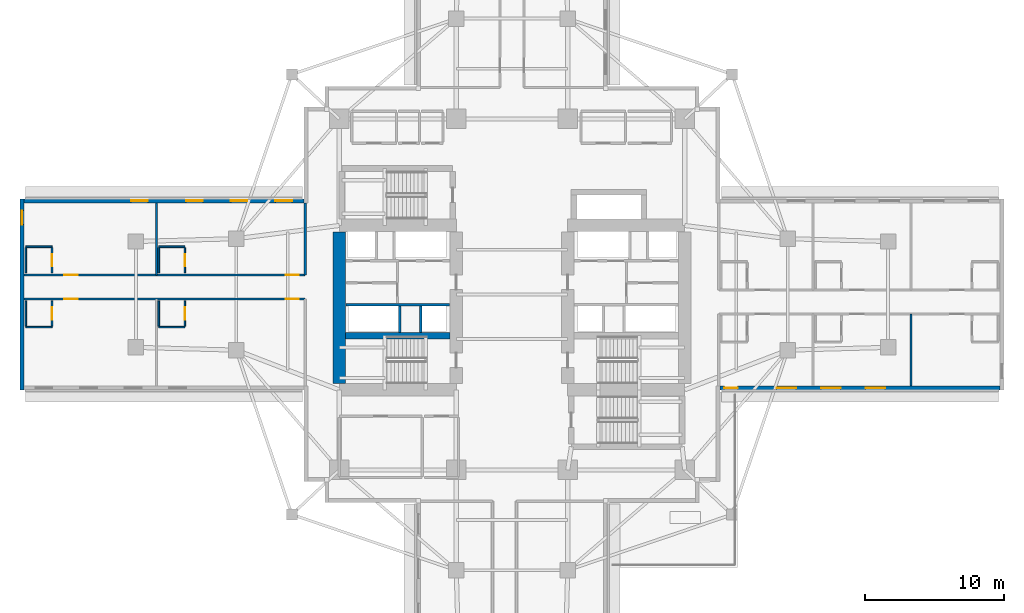
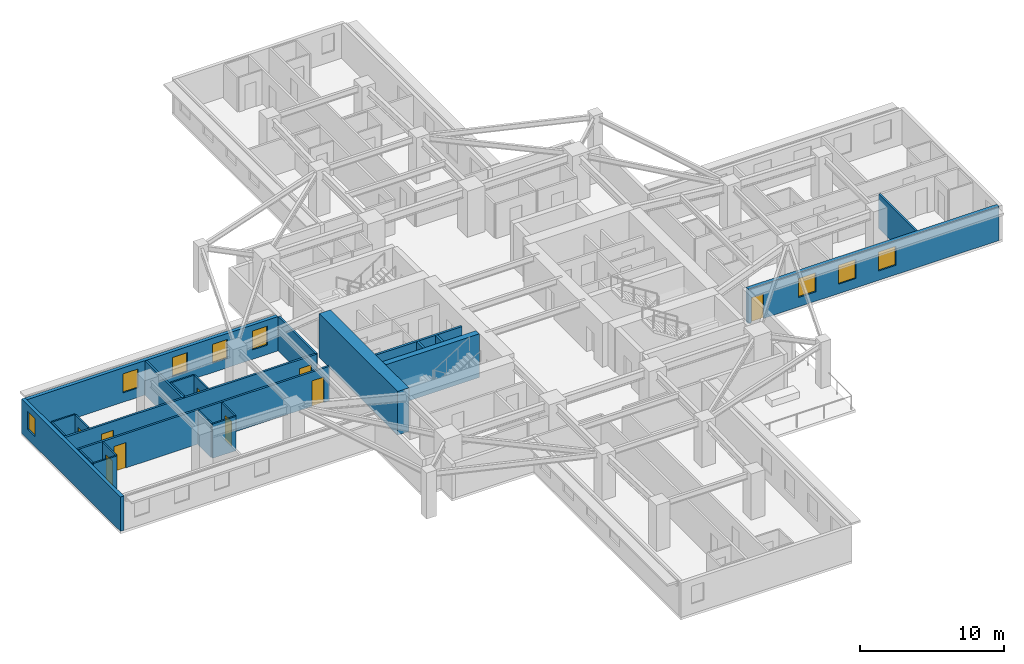
# One storey, part 4 of 13: 25 walls, 9 doors, 8 windows, 17 openings.
"""IFC4 building model written with IfcOpenShell, lengths in metres."""

from ifc_helpers import new_model, si_unit, direction, frame, frame_2d, origin, place, context, subcontext, project, spatial, rectangle, extrude, material, layer, layer_set, type_object, element, fill, save


model = new_model("IFC4")

# Units and contexts
model_context = context("Model", 3, precision=1e-05, world=origin(), true_north=direction((0.0, 1.0)))
body_context = subcontext(model_context, "Body", "Model", "MODEL_VIEW")
ifc_project = project(units=[si_unit("LENGTHUNIT", "METRE"), si_unit("AREAUNIT", "SQUARE_METRE"), si_unit("VOLUMEUNIT", "CUBIC_METRE"), si_unit("PLANEANGLEUNIT", "RADIAN"), si_unit("MASSUNIT", "GRAM", prefix="KILO")], contexts=[model_context])

# Site, building, storey
site_placement = place(None, origin())
site = spatial("IfcSite", under=ifc_project, at=site_placement, CompositionType="ELEMENT")
building_placement = place(site_placement, origin())
building = spatial("IfcBuilding", under=site, at=building_placement, Name="Qingluan Cross Belvedere", CompositionType="ELEMENT")
storey_placement = place(building_placement, frame((0.0, 0.0, 63.89990234375)))
storey = spatial("IfcBuildingStorey", under=building, at=storey_placement, Name="L16", CompositionType="ELEMENT", Elevation=63.89990234375)

# Walls
ifc_material_1 = material(Name="Concrete C50", Category="concrete")
ifc_layer_1 = layer(ifc_material_1, 0.449951171875, Name="CoreShearWall_450")
ifc_layer_set_1 = layer_set([ifc_layer_1], Name="Concrete C50")
wall_type_1 = type_object("IfcWallType", Name="CoreShearWall_450", PredefinedType="SHEAR", material=ifc_layer_set_1)
wall_1_placement = place(storey_placement, frame((-11.945068359375, -2.9599609375, 0.0), z_axis=(0.0, 0.0, 1.0), x_axis=(1.0, 0.0, 0.0)))
element("IfcWall", 1, at=wall_1_placement, inside=storey, type_object=wall_type_1, Name="Split core W shear wall L16-M", PredefinedType="SHEAR", context=body_context, shape_type="SweptSolid", body=[
    extrude(rectangle(XDim=7.489990234375, YDim=0.449951171875, at=frame_2d((3.7451171875, 0.0))), origin(), (0.0, 0.0, 1.0), 3.7001953125),
])
ifc_material_2 = material(Name="Concrete C70", Category="concrete")
ifc_layer_2 = layer(ifc_material_2, 0.89990234375, Name="CoreShearWall_900")
ifc_layer_set_2 = layer_set([ifc_layer_2], Name="Concrete C70")
wall_type_2 = type_object("IfcWallType", Name="CoreShearWall_900", PredefinedType="SHEAR", material=ifc_layer_set_2)
wall_2_placement = place(storey_placement, frame((-12.39990234375, -6.39501953125, 0.0), z_axis=(0.0, 0.0, 1.0), x_axis=(0.0, 1.0, 0.0)))
element("IfcWall", 2, at=wall_2_placement, inside=storey, type_object=wall_type_2, Name="Split core W shear wall L16-W", PredefinedType="SHEAR", context=body_context, shape_type="SweptSolid", body=[
    extrude(rectangle(XDim=10.89013671875, YDim=0.89990234375, at=frame_2d((5.445068359375, 0.0))), origin(), (0.0, 0.0, 1.0), 3.7001953125),
])
ifc_material_3 = material(Name="Gypsum plasterboard on steel stud acoustic partition", Category="steel")
ifc_layer_3 = layer(ifc_material_3, 0.159912109375, Name="CorridorPartition_160")
ifc_layer_set_3 = layer_set([ifc_layer_3], Name="Gypsum plasterboard on steel stud acoustic partition")
wall_type_3 = type_object("IfcWallType", Name="CorridorPartition_160", PredefinedType="PARTITIONING", material=ifc_layer_set_3)
wall_3_placement = place(storey_placement, frame((28.634033203125, -1.39990234375, 0.0), z_axis=(0.0, 0.0, 1.0), x_axis=(0.0, -1.0, 0.0)))
element("IfcWall", 3, at=wall_3_placement, inside=storey, type_object=wall_type_3, Name="Partition L16:E:d1_1", PredefinedType="PARTITIONING", context=body_context, shape_type="SweptSolid", body=[
    extrude(rectangle(XDim=5.172119140625, YDim=0.159912109375, at=frame_2d((2.5859375, 0.0))), origin(), (0.0, 0.0, 1.0), 2.900146484375),
])

# Wall, openings, doors
wall_4_placement = place(storey_placement, frame((-14.85009765625, 1.39990234375, 0.0), z_axis=(0.0, 0.0, 1.0), x_axis=(-1.0, 0.0, 0.0)))
wall_4 = element("IfcWall", 4, at=wall_4_placement, inside=storey, type_object=wall_type_3, Name="Partition L16:W:c0", PredefinedType="PARTITIONING", context=body_context, shape_type="SweptSolid", body=[
    extrude(rectangle(XDim=20.181884765625, YDim=0.159912109375, at=frame_2d((10.0908203125, 0.0))), origin(), (0.0, 0.0, 1.0), 2.900146484375),
])
opening_1_placement = place(wall_4_placement, frame((0.449951171875, 0.0, 0.0)))
opening_1 = element("IfcOpeningElement", 5, at=opening_1_placement, cuts=wall_4, Name="Opening GD-10", PredefinedType="OPENING", context=body_context, shape_type="SweptSolid", body=[
    extrude(rectangle(XDim=0.9599609375, YDim=2.14990234375, at=frame_2d((0.47998046875, 1.074951171875))), frame((0.0, 0.08984375, 0.0), z_axis=(0.0, -1.0, 0.0), x_axis=(1.0, 0.0, 0.0)), (0.0, 0.0, 1.0), 0.179931640625),
])
opening_2_placement = place(wall_4_placement, frame((16.31591796875, 0.0, 0.0)))
opening_2 = element("IfcOpeningElement", 6, at=opening_2_placement, cuts=wall_4, Name="Opening GD-10", PredefinedType="OPENING", context=body_context, shape_type="SweptSolid", body=[
    extrude(rectangle(XDim=0.9599609375, YDim=2.14990234375, at=frame_2d((0.47998046875, 1.074951171875))), frame((0.0, 0.08984375, 0.0), z_axis=(0.0, -1.0, 0.0), x_axis=(1.0, 0.0, 0.0)), (0.0, 0.0, 1.0), 0.179931640625),
])
ifc_material_4 = material(Name="Timber oak fire-rated acoustic guestroom door", Category="wood")
door_type_1 = type_object("IfcDoorType", Name="GuestEntryDoor_FD60", OperationType="NOTDEFINED", PredefinedType="DOOR", material=ifc_material_4)
door_1_placement = place(opening_1_placement, origin())
door_1 = element("IfcDoor", 7, at=door_1_placement, inside=storey, type_object=door_type_1, Name="Guest entry fire door 1607", OperationType="SINGLE_SWING_LEFT", OverallHeight=2.14990234375, OverallWidth=0.9599609375, PredefinedType="DOOR", context=body_context, shape_type="SweptSolid", body=[
    extrude(rectangle(XDim=0.9599609375, YDim=2.14990234375, at=frame_2d((0.47998046875, 1.074951171875))), frame((0.0, 0.02490234375, 0.0), z_axis=(0.0, -1.0, 0.0), x_axis=(1.0, 0.0, 0.0)), (0.0, 0.0, 1.0), 0.050048828125),
])
fill(opening_1, door_1)
door_2_placement = place(opening_2_placement, origin())
door_2 = element("IfcDoor", 8, at=door_2_placement, inside=storey, type_object=door_type_1, Name="Guest entry fire door 1608", OperationType="SINGLE_SWING_LEFT", OverallHeight=2.14990234375, OverallWidth=0.9599609375, PredefinedType="DOOR", context=body_context, shape_type="SweptSolid", body=[
    extrude(rectangle(XDim=0.9599609375, YDim=2.14990234375, at=frame_2d((0.47998046875, 1.074951171875))), frame((0.0, 0.02490234375, 0.0), z_axis=(0.0, -1.0, 0.0), x_axis=(1.0, 0.0, 0.0)), (0.0, 0.0, 1.0), 0.050048828125),
])
fill(opening_2, door_2)

# Walls
for number, where, z_axis, x_axis, name in (
    (9, (-14.85009765625, 1.39990234375, 0.0), (0.0, 0.0, 1.0), (0.0, 1.0, 0.0), "Partition L16:W:s0"),
    (10, (-25.52294921875, 1.39990234375, 0.0), (0.0, 0.0, 1.0), (0.0, 1.0, 0.0), "Partition L16:W:d0_0"),
):
    element("IfcWall", number, at=place(storey_placement, frame(where, z_axis=z_axis, x_axis=x_axis)), inside=storey, type_object=wall_type_3, Name=name, PredefinedType="PARTITIONING", context=body_context, shape_type="SweptSolid", body=[
        extrude(rectangle(XDim=5.172119140625, YDim=0.159912109375, at=frame_2d((2.5859375, 0.0))), origin(), (0.0, 0.0, 1.0), 2.900146484375),
    ])

# Wall, openings, doors
wall_5_placement = place(storey_placement, frame((-14.85009765625, -0.320068359375, 0.0), z_axis=(0.0, 0.0, 1.0), x_axis=(-1.0, 0.0, 0.0)))
wall_5 = element("IfcWall", 11, at=wall_5_placement, inside=storey, type_object=wall_type_3, Name="Partition L16:W:c1", PredefinedType="PARTITIONING", context=body_context, shape_type="SweptSolid", body=[
    extrude(rectangle(XDim=20.181884765625, YDim=0.159912109375, at=frame_2d((10.0908203125, 0.0))), origin(), (0.0, 0.0, 1.0), 2.900146484375),
])
opening_3_placement = place(wall_5_placement, frame((0.449951171875, 0.0, 0.0)))
opening_3 = element("IfcOpeningElement", 12, at=opening_3_placement, cuts=wall_5, Name="Opening GD-10", PredefinedType="OPENING", context=body_context, shape_type="SweptSolid", body=[
    extrude(rectangle(XDim=0.9599609375, YDim=2.14990234375, at=frame_2d((0.47998046875, 1.074951171875))), frame((0.0, 0.08984375, 0.0), z_axis=(0.0, -1.0, 0.0), x_axis=(1.0, 0.0, 0.0)), (0.0, 0.0, 1.0), 0.179931640625),
])
opening_4_placement = place(wall_5_placement, frame((16.31591796875, 0.0, 0.0)))
opening_4 = element("IfcOpeningElement", 13, at=opening_4_placement, cuts=wall_5, Name="Opening GD-10", PredefinedType="OPENING", context=body_context, shape_type="SweptSolid", body=[
    extrude(rectangle(XDim=0.9599609375, YDim=2.14990234375, at=frame_2d((0.47998046875, 1.074951171875))), frame((0.0, 0.08984375, 0.0), z_axis=(0.0, -1.0, 0.0), x_axis=(1.0, 0.0, 0.0)), (0.0, 0.0, 1.0), 0.179931640625),
])
door_3_placement = place(opening_3_placement, origin())
door_3 = element("IfcDoor", 14, at=door_3_placement, inside=storey, type_object=door_type_1, Name="Guest entry fire door 1609", OperationType="SINGLE_SWING_LEFT", OverallHeight=2.14990234375, OverallWidth=0.9599609375, PredefinedType="DOOR", context=body_context, shape_type="SweptSolid", body=[
    extrude(rectangle(XDim=0.9599609375, YDim=2.14990234375, at=frame_2d((0.47998046875, 1.074951171875))), frame((0.0, 0.02490234375, 0.0), z_axis=(0.0, -1.0, 0.0), x_axis=(1.0, 0.0, 0.0)), (0.0, 0.0, 1.0), 0.050048828125),
])
fill(opening_3, door_3)
door_4_placement = place(opening_4_placement, origin())
door_4 = element("IfcDoor", 15, at=door_4_placement, inside=storey, type_object=door_type_1, Name="Guest entry fire door 1610", OperationType="SINGLE_SWING_LEFT", OverallHeight=2.14990234375, OverallWidth=0.9599609375, PredefinedType="DOOR", context=body_context, shape_type="SweptSolid", body=[
    extrude(rectangle(XDim=0.9599609375, YDim=2.14990234375, at=frame_2d((0.47998046875, 1.074951171875))), frame((0.0, 0.02490234375, 0.0), z_axis=(0.0, -1.0, 0.0), x_axis=(1.0, 0.0, 0.0)), (0.0, 0.0, 1.0), 0.050048828125),
])
fill(opening_4, door_4)

# Wall, opening, door
ifc_material_5 = material(Name="Moisture-resistant gypsum board lining")
ifc_layer_4 = layer(ifc_material_5, 0.1201171875, Name="EnsuiteWetPartition_120")
ifc_layer_set_4 = layer_set([ifc_layer_4], Name="Moisture-resistant gypsum board lining")
wall_type_4 = type_object("IfcWallType", Name="EnsuiteWetPartition_120", PredefinedType="PARTITIONING", material=ifc_layer_set_4)
wall_6_placement = place(storey_placement, frame((-23.48291015625, 1.5400390625, 0.0), z_axis=(0.0, 0.0, 1.0), x_axis=(0.0, 1.0, 0.0)))
wall_6 = element("IfcWall", 16, at=wall_6_placement, inside=storey, type_object=wall_type_4, Name="Partition L16:W:bs0_0", PredefinedType="PARTITIONING", context=body_context, shape_type="SweptSolid", body=[
    extrude(rectangle(XDim=1.820068359375, YDim=0.1201171875, at=frame_2d((0.91015625, 0.0))), origin(), (0.0, 0.0, 1.0), 2.900146484375),
])
opening_5_placement = place(wall_6_placement, frame((0.469970703125, 0.0, 0.0)))
opening_5 = element("IfcOpeningElement", 17, at=opening_5_placement, cuts=wall_6, Name="Opening BD-09", PredefinedType="OPENING", context=body_context, shape_type="SweptSolid", body=[
    extrude(rectangle(XDim=0.8798828125, YDim=2.10009765625, at=frame_2d((0.43994140625, 1.050048828125))), frame((0.0, 0.070068359375, 0.0), z_axis=(0.0, -1.0, 0.0), x_axis=(1.0, 0.0, 0.0)), (0.0, 0.0, 1.0), 0.14013671875),
])
ifc_material_6 = material(Name="Moisture-sealed timber en-suite door", Category="wood")
door_type_2 = type_object("IfcDoorType", Name="BathroomDoor_880", OperationType="NOTDEFINED", PredefinedType="DOOR", material=ifc_material_6)
door_5_placement = place(opening_5_placement, origin())
door_5 = element("IfcDoor", 18, at=door_5_placement, inside=storey, type_object=door_type_2, Name="Bathroom door 1607", OperationType="SINGLE_SWING_RIGHT", OverallHeight=2.10009765625, OverallWidth=0.8798828125, PredefinedType="DOOR", context=body_context, shape_type="SweptSolid", body=[
    extrude(rectangle(XDim=0.8798828125, YDim=2.10009765625, at=frame_2d((0.43994140625, 1.050048828125))), frame((0.0, 0.02490234375, 0.0), z_axis=(0.0, -1.0, 0.0), x_axis=(1.0, 0.0, 0.0)), (0.0, 0.0, 1.0), 0.050048828125),
])
fill(opening_5, door_5)

# Walls
wall_7_placement = place(storey_placement, frame((-25.363037109375, 1.5400390625, 0.0), z_axis=(0.0, 0.0, 1.0), x_axis=(0.0, 1.0, 0.0)))
element("IfcWall", 19, at=wall_7_placement, inside=storey, type_object=wall_type_4, Name="Partition L16:W:bw0_0", PredefinedType="PARTITIONING", context=body_context, shape_type="SweptSolid", body=[
    extrude(rectangle(XDim=1.820068359375, YDim=0.1201171875, at=frame_2d((0.91015625, 0.0))), origin(), (0.0, 0.0, 1.0), 2.900146484375),
])
wall_8_placement = place(storey_placement, frame((-23.48291015625, 3.425048828125, 0.0), z_axis=(0.0, 0.0, 1.0), x_axis=(-1.0, 0.0, 0.0)))
element("IfcWall", 20, at=wall_8_placement, inside=storey, type_object=wall_type_4, Name="Partition L16:W:bn0_0", PredefinedType="PARTITIONING", context=body_context, shape_type="SweptSolid", body=[
    extrude(rectangle(XDim=1.880126953125, YDim=0.1201171875, at=frame_2d((0.93994140625, 0.0))), origin(), (0.0, 0.0, 1.0), 2.900146484375),
])

# Wall, opening, door
wall_9_placement = place(storey_placement, frame((-33.02001953125, 1.5400390625, 0.0), z_axis=(0.0, 0.0, 1.0), x_axis=(0.0, 1.0, 0.0)))
wall_9 = element("IfcWall", 21, at=wall_9_placement, inside=storey, type_object=wall_type_4, Name="Partition L16:W:bs0_1", PredefinedType="PARTITIONING", context=body_context, shape_type="SweptSolid", body=[
    extrude(rectangle(XDim=1.820068359375, YDim=0.1201171875, at=frame_2d((0.91015625, 0.0))), origin(), (0.0, 0.0, 1.0), 2.900146484375),
])
opening_6_placement = place(wall_9_placement, frame((0.469970703125, 0.0, 0.0)))
opening_6 = element("IfcOpeningElement", 22, at=opening_6_placement, cuts=wall_9, Name="Opening BD-09", PredefinedType="OPENING", context=body_context, shape_type="SweptSolid", body=[
    extrude(rectangle(XDim=0.8798828125, YDim=2.10009765625, at=frame_2d((0.43994140625, 1.050048828125))), frame((0.0, 0.070068359375, 0.0), z_axis=(0.0, -1.0, 0.0), x_axis=(1.0, 0.0, 0.0)), (0.0, 0.0, 1.0), 0.14013671875),
])
door_6_placement = place(opening_6_placement, origin())
door_6 = element("IfcDoor", 23, at=door_6_placement, inside=storey, type_object=door_type_2, Name="Bathroom door 1608", OperationType="SINGLE_SWING_RIGHT", OverallHeight=2.10009765625, OverallWidth=0.8798828125, PredefinedType="DOOR", context=body_context, shape_type="SweptSolid", body=[
    extrude(rectangle(XDim=0.8798828125, YDim=2.10009765625, at=frame_2d((0.43994140625, 1.050048828125))), frame((0.0, 0.02490234375, 0.0), z_axis=(0.0, -1.0, 0.0), x_axis=(1.0, 0.0, 0.0)), (0.0, 0.0, 1.0), 0.050048828125),
])
fill(opening_6, door_6)

# Walls
wall_10_placement = place(storey_placement, frame((-34.89990234375, 1.5400390625, 0.0), z_axis=(0.0, 0.0, 1.0), x_axis=(0.0, 1.0, 0.0)))
element("IfcWall", 24, at=wall_10_placement, inside=storey, type_object=wall_type_4, Name="Partition L16:W:bw0_1", PredefinedType="PARTITIONING", context=body_context, shape_type="SweptSolid", body=[
    extrude(rectangle(XDim=1.820068359375, YDim=0.1201171875, at=frame_2d((0.91015625, 0.0))), origin(), (0.0, 0.0, 1.0), 2.900146484375),
])
wall_11_placement = place(storey_placement, frame((-33.02001953125, 3.425048828125, 0.0), z_axis=(0.0, 0.0, 1.0), x_axis=(-1.0, 0.0, 0.0)))
element("IfcWall", 25, at=wall_11_placement, inside=storey, type_object=wall_type_4, Name="Partition L16:W:bn0_1", PredefinedType="PARTITIONING", context=body_context, shape_type="SweptSolid", body=[
    extrude(rectangle(XDim=1.8798828125, YDim=0.1201171875, at=frame_2d((0.93994140625, 0.0))), origin(), (0.0, 0.0, 1.0), 2.900146484375),
])

# Wall, opening, door
wall_12_placement = place(storey_placement, frame((-23.48291015625, -2.280029296875, 0.0), z_axis=(0.0, 0.0, 1.0), x_axis=(0.0, 1.0, 0.0)))
wall_12 = element("IfcWall", 26, at=wall_12_placement, inside=storey, type_object=wall_type_4, Name="Partition L16:W:bs1_0", PredefinedType="PARTITIONING", context=body_context, shape_type="SweptSolid", body=[
    extrude(rectangle(XDim=1.820068359375, YDim=0.1201171875, at=frame_2d((0.91015625, 0.0))), origin(), (0.0, 0.0, 1.0), 2.900146484375),
])
opening_7_placement = place(wall_12_placement, frame((0.469970703125, 0.0, 0.0)))
opening_7 = element("IfcOpeningElement", 27, at=opening_7_placement, cuts=wall_12, Name="Opening BD-09", PredefinedType="OPENING", context=body_context, shape_type="SweptSolid", body=[
    extrude(rectangle(XDim=0.8798828125, YDim=2.10009765625, at=frame_2d((0.43994140625, 1.050048828125))), frame((0.0, 0.070068359375, 0.0), z_axis=(0.0, -1.0, 0.0), x_axis=(1.0, 0.0, 0.0)), (0.0, 0.0, 1.0), 0.14013671875),
])
door_7_placement = place(opening_7_placement, origin())
door_7 = element("IfcDoor", 28, at=door_7_placement, inside=storey, type_object=door_type_2, Name="Bathroom door 1609", OperationType="SINGLE_SWING_RIGHT", OverallHeight=2.10009765625, OverallWidth=0.8798828125, PredefinedType="DOOR", context=body_context, shape_type="SweptSolid", body=[
    extrude(rectangle(XDim=0.8798828125, YDim=2.10009765625, at=frame_2d((0.43994140625, 1.050048828125))), frame((0.0, 0.02490234375, 0.0), z_axis=(0.0, -1.0, 0.0), x_axis=(1.0, 0.0, 0.0)), (0.0, 0.0, 1.0), 0.050048828125),
])
fill(opening_7, door_7)

# Walls
wall_13_placement = place(storey_placement, frame((-25.363037109375, -2.280029296875, 0.0), z_axis=(0.0, 0.0, 1.0), x_axis=(0.0, 1.0, 0.0)))
element("IfcWall", 29, at=wall_13_placement, inside=storey, type_object=wall_type_4, Name="Partition L16:W:bw1_0", PredefinedType="PARTITIONING", context=body_context, shape_type="SweptSolid", body=[
    extrude(rectangle(XDim=1.820068359375, YDim=0.1201171875, at=frame_2d((0.91015625, 0.0))), origin(), (0.0, 0.0, 1.0), 2.900146484375),
])
wall_14_placement = place(storey_placement, frame((-23.48291015625, -2.344970703125, 0.0), z_axis=(0.0, 0.0, 1.0), x_axis=(-1.0, 0.0, 0.0)))
element("IfcWall", 30, at=wall_14_placement, inside=storey, type_object=wall_type_4, Name="Partition L16:W:bc1_0", PredefinedType="PARTITIONING", context=body_context, shape_type="SweptSolid", body=[
    extrude(rectangle(XDim=1.880126953125, YDim=0.1201171875, at=frame_2d((0.93994140625, 0.0))), origin(), (0.0, 0.0, 1.0), 2.900146484375),
])

# Wall, opening, door
wall_15_placement = place(storey_placement, frame((-33.02001953125, -2.280029296875, 0.0), z_axis=(0.0, 0.0, 1.0), x_axis=(0.0, 1.0, 0.0)))
wall_15 = element("IfcWall", 31, at=wall_15_placement, inside=storey, type_object=wall_type_4, Name="Partition L16:W:bs1_1", PredefinedType="PARTITIONING", context=body_context, shape_type="SweptSolid", body=[
    extrude(rectangle(XDim=1.820068359375, YDim=0.1201171875, at=frame_2d((0.91015625, 0.0))), origin(), (0.0, 0.0, 1.0), 2.900146484375),
])
opening_8_placement = place(wall_15_placement, frame((0.469970703125, 0.0, 0.0)))
opening_8 = element("IfcOpeningElement", 32, at=opening_8_placement, cuts=wall_15, Name="Opening BD-09", PredefinedType="OPENING", context=body_context, shape_type="SweptSolid", body=[
    extrude(rectangle(XDim=0.8798828125, YDim=2.10009765625, at=frame_2d((0.43994140625, 1.050048828125))), frame((0.0, 0.070068359375, 0.0), z_axis=(0.0, -1.0, 0.0), x_axis=(1.0, 0.0, 0.0)), (0.0, 0.0, 1.0), 0.14013671875),
])
door_8_placement = place(opening_8_placement, origin())
door_8 = element("IfcDoor", 33, at=door_8_placement, inside=storey, type_object=door_type_2, Name="Bathroom door 1610", OperationType="SINGLE_SWING_RIGHT", OverallHeight=2.10009765625, OverallWidth=0.8798828125, PredefinedType="DOOR", context=body_context, shape_type="SweptSolid", body=[
    extrude(rectangle(XDim=0.8798828125, YDim=2.10009765625, at=frame_2d((0.43994140625, 1.050048828125))), frame((0.0, 0.02490234375, 0.0), z_axis=(0.0, -1.0, 0.0), x_axis=(1.0, 0.0, 0.0)), (0.0, 0.0, 1.0), 0.050048828125),
])
fill(opening_8, door_8)

# Walls
wall_16_placement = place(storey_placement, frame((-34.89990234375, -2.280029296875, 0.0), z_axis=(0.0, 0.0, 1.0), x_axis=(0.0, 1.0, 0.0)))
element("IfcWall", 34, at=wall_16_placement, inside=storey, type_object=wall_type_4, Name="Partition L16:W:bw1_1", PredefinedType="PARTITIONING", context=body_context, shape_type="SweptSolid", body=[
    extrude(rectangle(XDim=1.820068359375, YDim=0.1201171875, at=frame_2d((0.91015625, 0.0))), origin(), (0.0, 0.0, 1.0), 2.900146484375),
])
wall_17_placement = place(storey_placement, frame((-33.02001953125, -2.344970703125, 0.0), z_axis=(0.0, 0.0, 1.0), x_axis=(-1.0, 0.0, 0.0)))
element("IfcWall", 35, at=wall_17_placement, inside=storey, type_object=wall_type_4, Name="Partition L16:W:bc1_1", PredefinedType="PARTITIONING", context=body_context, shape_type="SweptSolid", body=[
    extrude(rectangle(XDim=1.8798828125, YDim=0.1201171875, at=frame_2d((0.93994140625, 0.0))), origin(), (0.0, 0.0, 1.0), 2.900146484375),
])

# Wall, openings, windows, door
ifc_material_7 = material(Name="Precast concrete C45", Category="concrete")
ifc_layer_5 = layer(ifc_material_7, 0.280029296875, Name="PrecastFacadeWall_280")
ifc_layer_set_5 = layer_set([ifc_layer_5], Name="Precast concrete C45")
wall_type_5 = type_object("IfcWallType", Name="PrecastFacadeWall_280", PredefinedType="STANDARD", material=ifc_layer_set_5)
wall_18_placement = place(storey_placement, frame((14.93994140625, -6.719970703125, 0.0), z_axis=(0.0, 0.0, 1.0), x_axis=(1.0, 0.0, 0.0)))
wall_18 = element("IfcWall", 36, at=wall_18_placement, inside=storey, type_object=wall_type_5, Name="Facade wall L16-EA", PredefinedType="STANDARD", context=body_context, shape_type="SweptSolid", body=[
    extrude(rectangle(XDim=20.10009765625, YDim=0.280029296875, at=frame_2d((10.050048828125, 0.0))), origin(), (0.0, 0.0, 1.0), 2.91015625),
])
opening_9_placement = place(wall_18_placement, frame((4.050048828125, 0.0, 0.800048828125)))
opening_9 = element("IfcOpeningElement", 37, at=opening_9_placement, cuts=wall_18, Name="Opening W-01", PredefinedType="OPENING", context=body_context, shape_type="SweptSolid", body=[
    extrude(rectangle(XDim=1.39990234375, YDim=1.60009765625, at=frame_2d((0.699951171875, 0.800048828125))), frame((0.0, 0.14990234375, 0.0), z_axis=(0.0, -1.0, 0.0), x_axis=(1.0, 0.0, 0.0)), (0.0, 0.0, 1.0), 0.300048828125),
])
opening_10_placement = place(wall_18_placement, frame((7.25, 0.0, 0.800048828125)))
opening_10 = element("IfcOpeningElement", 38, at=opening_10_placement, cuts=wall_18, Name="Opening W-01", PredefinedType="OPENING", context=body_context, shape_type="SweptSolid", body=[
    extrude(rectangle(XDim=1.39990234375, YDim=1.60009765625, at=frame_2d((0.699951171875, 0.800048828125))), frame((0.0, 0.14990234375, 0.0), z_axis=(0.0, -1.0, 0.0), x_axis=(1.0, 0.0, 0.0)), (0.0, 0.0, 1.0), 0.300048828125),
])
opening_11_placement = place(wall_18_placement, frame((10.449951171875, 0.0, 0.800048828125)))
opening_11 = element("IfcOpeningElement", 39, at=opening_11_placement, cuts=wall_18, Name="Opening W-01", PredefinedType="OPENING", context=body_context, shape_type="SweptSolid", body=[
    extrude(rectangle(XDim=1.39990234375, YDim=1.60009765625, at=frame_2d((0.699951171875, 0.800048828125))), frame((0.0, 0.14990234375, 0.0), z_axis=(0.0, -1.0, 0.0), x_axis=(1.0, 0.0, 0.0)), (0.0, 0.0, 1.0), 0.300048828125),
])
opening_12_placement = place(wall_18_placement, frame((0.300048828125, 0.0, 0.0)))
opening_12 = element("IfcOpeningElement", 40, at=opening_12_placement, cuts=wall_18, Name="Opening WD-10", PredefinedType="OPENING", context=body_context, shape_type="SweptSolid", body=[
    extrude(rectangle(XDim=0.9599609375, YDim=2.10009765625, at=frame_2d((0.47998046875, 1.050048828125))), frame((0.0, 0.14990234375, 0.0), z_axis=(0.0, -1.0, 0.0), x_axis=(1.0, 0.0, 0.0)), (0.0, 0.0, 1.0), 0.300048828125),
])
ifc_material_8 = material(Name="Thermally broken triple Low-E glass in aluminium frame", Category="aluminium")
window_type_1 = type_object("IfcWindowType", Name="TriRibbonWin_1400x1600", PartitioningType="SINGLE_PANEL", PredefinedType="WINDOW", material=ifc_material_8)
window_1_placement = place(opening_9_placement, origin())
window_1 = element("IfcWindow", 41, at=window_1_placement, inside=storey, type_object=window_type_1, Name="Ribbon window L16-EA-2", OverallHeight=1.60009765625, OverallWidth=1.39990234375, PartitioningType="SINGLE_PANEL", PredefinedType="WINDOW", context=body_context, shape_type="SweptSolid", body=[
    extrude(rectangle(XDim=1.39990234375, YDim=1.60009765625, at=frame_2d((0.699951171875, 0.800048828125))), frame((0.0, 0.030029296875, 0.0), z_axis=(0.0, -1.0, 0.0), x_axis=(1.0, 0.0, 0.0)), (0.0, 0.0, 1.0), 0.06005859375),
])
fill(opening_9, window_1)
window_2_placement = place(opening_10_placement, origin())
window_2 = element("IfcWindow", 42, at=window_2_placement, inside=storey, type_object=window_type_1, Name="Ribbon window L16-EA-3", OverallHeight=1.60009765625, OverallWidth=1.39990234375, PartitioningType="SINGLE_PANEL", PredefinedType="WINDOW", context=body_context, shape_type="SweptSolid", body=[
    extrude(rectangle(XDim=1.39990234375, YDim=1.60009765625, at=frame_2d((0.699951171875, 0.800048828125))), frame((0.0, 0.030029296875, 0.0), z_axis=(0.0, -1.0, 0.0), x_axis=(1.0, 0.0, 0.0)), (0.0, 0.0, 1.0), 0.06005859375),
])
fill(opening_10, window_2)
window_3_placement = place(opening_11_placement, origin())
window_3 = element("IfcWindow", 43, at=window_3_placement, inside=storey, type_object=window_type_1, Name="Ribbon window L16-EA-4", OverallHeight=1.60009765625, OverallWidth=1.39990234375, PartitioningType="SINGLE_PANEL", PredefinedType="WINDOW", context=body_context, shape_type="SweptSolid", body=[
    extrude(rectangle(XDim=1.39990234375, YDim=1.60009765625, at=frame_2d((0.699951171875, 0.800048828125))), frame((0.0, 0.030029296875, 0.0), z_axis=(0.0, -1.0, 0.0), x_axis=(1.0, 0.0, 0.0)), (0.0, 0.0, 1.0), 0.06005859375),
])
fill(opening_11, window_3)
ifc_material_9 = material(Name="Thermally broken aluminium and Low-E glass", Category="aluminium")
door_type_3 = type_object("IfcDoorType", Name="WinterGardenDoor_096", OperationType="NOTDEFINED", PredefinedType="DOOR", material=ifc_material_9)
door_9_placement = place(opening_12_placement, origin())
door_9 = element("IfcDoor", 44, at=door_9_placement, inside=storey, type_object=door_type_3, Name="Outdoor terrace access door L16-spi", OperationType="SINGLE_SWING_RIGHT", OverallHeight=2.10009765625, OverallWidth=0.9599609375, PredefinedType="DOOR", context=body_context, shape_type="SweptSolid", body=[
    extrude(rectangle(XDim=0.9599609375, YDim=2.10009765625, at=frame_2d((0.47998046875, 1.050048828125))), frame((0.0, 0.02490234375, 0.0), z_axis=(0.0, -1.0, 0.0), x_axis=(1.0, 0.0, 0.0)), (0.0, 0.0, 1.0), 0.050048828125),
])
fill(opening_12, door_9)

# Wall, openings, windows
wall_19_placement = place(storey_placement, frame((-14.93994140625, 6.719970703125, 0.0), z_axis=(0.0, 0.0, 1.0), x_axis=(-1.0, 0.0, 0.0)))
wall_19 = element("IfcWall", 45, at=wall_19_placement, inside=storey, type_object=wall_type_5, Name="Facade wall L16-WA", PredefinedType="STANDARD", context=body_context, shape_type="SweptSolid", body=[
    extrude(rectangle(XDim=20.10009765625, YDim=0.280029296875, at=frame_2d((10.050048828125, 0.0))), origin(), (0.0, 0.0, 1.0), 2.91015625),
])
opening_13_placement = place(wall_19_placement, frame((0.85009765625, 0.0, 0.800048828125)))
opening_13 = element("IfcOpeningElement", 46, at=opening_13_placement, cuts=wall_19, Name="Opening W-02", PredefinedType="OPENING", context=body_context, shape_type="SweptSolid", body=[
    extrude(rectangle(XDim=1.199951171875, YDim=1.60009765625, at=frame_2d((0.60009765625, 0.800048828125))), frame((0.0, 0.14990234375, 0.0), z_axis=(0.0, -1.0, 0.0), x_axis=(1.0, 0.0, 0.0)), (0.0, 0.0, 1.0), 0.300048828125),
])
opening_14_placement = place(wall_19_placement, frame((4.050048828125, 0.0, 0.800048828125)))
opening_14 = element("IfcOpeningElement", 47, at=opening_14_placement, cuts=wall_19, Name="Opening W-02", PredefinedType="OPENING", context=body_context, shape_type="SweptSolid", body=[
    extrude(rectangle(XDim=1.199951171875, YDim=1.60009765625, at=frame_2d((0.60009765625, 0.800048828125))), frame((0.0, 0.14990234375, 0.0), z_axis=(0.0, -1.0, 0.0), x_axis=(1.0, 0.0, 0.0)), (0.0, 0.0, 1.0), 0.300048828125),
])
opening_15_placement = place(wall_19_placement, frame((7.25, 0.0, 0.800048828125)))
opening_15 = element("IfcOpeningElement", 48, at=opening_15_placement, cuts=wall_19, Name="Opening W-02", PredefinedType="OPENING", context=body_context, shape_type="SweptSolid", body=[
    extrude(rectangle(XDim=1.199951171875, YDim=1.60009765625, at=frame_2d((0.60009765625, 0.800048828125))), frame((0.0, 0.14990234375, 0.0), z_axis=(0.0, -1.0, 0.0), x_axis=(1.0, 0.0, 0.0)), (0.0, 0.0, 1.0), 0.300048828125),
])
opening_16_placement = place(wall_19_placement, frame((11.199951171875, 0.0, 0.800048828125)))
opening_16 = element("IfcOpeningElement", 49, at=opening_16_placement, cuts=wall_19, Name="Opening W-02", PredefinedType="OPENING", context=body_context, shape_type="SweptSolid", body=[
    extrude(rectangle(XDim=1.199951171875, YDim=1.60009765625, at=frame_2d((0.60009765625, 0.800048828125))), frame((0.0, 0.14990234375, 0.0), z_axis=(0.0, -1.0, 0.0), x_axis=(1.0, 0.0, 0.0)), (0.0, 0.0, 1.0), 0.300048828125),
])
ifc_material_10 = material(Name="Thermally broken triple Low-E glass in aluminium frame", Category="aluminium")
window_type_2 = type_object("IfcWindowType", Name="TriRibbonWin_1200x1600", PartitioningType="SINGLE_PANEL", PredefinedType="WINDOW", material=ifc_material_10)
window_4_placement = place(opening_13_placement, origin())
window_4 = element("IfcWindow", 50, at=window_4_placement, inside=storey, type_object=window_type_2, Name="Ribbon window L16-WA-1", OverallHeight=1.60009765625, OverallWidth=1.199951171875, PartitioningType="SINGLE_PANEL", PredefinedType="WINDOW", context=body_context, shape_type="SweptSolid", body=[
    extrude(rectangle(XDim=1.199951171875, YDim=1.60009765625, at=frame_2d((0.60009765625, 0.800048828125))), frame((0.0, 0.030029296875, 0.0), z_axis=(0.0, -1.0, 0.0), x_axis=(1.0, 0.0, 0.0)), (0.0, 0.0, 1.0), 0.06005859375),
])
fill(opening_13, window_4)
window_5_placement = place(opening_14_placement, origin())
window_5 = element("IfcWindow", 51, at=window_5_placement, inside=storey, type_object=window_type_2, Name="Ribbon window L16-WA-2", OverallHeight=1.60009765625, OverallWidth=1.199951171875, PartitioningType="SINGLE_PANEL", PredefinedType="WINDOW", context=body_context, shape_type="SweptSolid", body=[
    extrude(rectangle(XDim=1.199951171875, YDim=1.60009765625, at=frame_2d((0.60009765625, 0.800048828125))), frame((0.0, 0.030029296875, 0.0), z_axis=(0.0, -1.0, 0.0), x_axis=(1.0, 0.0, 0.0)), (0.0, 0.0, 1.0), 0.06005859375),
])
fill(opening_14, window_5)
window_6_placement = place(opening_15_placement, origin())
window_6 = element("IfcWindow", 52, at=window_6_placement, inside=storey, type_object=window_type_2, Name="Ribbon window L16-WA-3", OverallHeight=1.60009765625, OverallWidth=1.199951171875, PartitioningType="SINGLE_PANEL", PredefinedType="WINDOW", context=body_context, shape_type="SweptSolid", body=[
    extrude(rectangle(XDim=1.199951171875, YDim=1.60009765625, at=frame_2d((0.60009765625, 0.800048828125))), frame((0.0, 0.030029296875, 0.0), z_axis=(0.0, -1.0, 0.0), x_axis=(1.0, 0.0, 0.0)), (0.0, 0.0, 1.0), 0.06005859375),
])
fill(opening_15, window_6)
window_7_placement = place(opening_16_placement, origin())
window_7 = element("IfcWindow", 53, at=window_7_placement, inside=storey, type_object=window_type_2, Name="Ribbon window L16-WA-4", OverallHeight=1.60009765625, OverallWidth=1.199951171875, PartitioningType="SINGLE_PANEL", PredefinedType="WINDOW", context=body_context, shape_type="SweptSolid", body=[
    extrude(rectangle(XDim=1.199951171875, YDim=1.60009765625, at=frame_2d((0.60009765625, 0.800048828125))), frame((0.0, 0.030029296875, 0.0), z_axis=(0.0, -1.0, 0.0), x_axis=(1.0, 0.0, 0.0)), (0.0, 0.0, 1.0), 0.06005859375),
])
fill(opening_16, window_7)

# Wall, opening, window
wall_20_placement = place(storey_placement, frame((-35.179931640625, 6.860107421875, 0.0), z_axis=(0.0, 0.0, 1.0), x_axis=(0.0, -1.0, 0.0)))
wall_20 = element("IfcWall", 54, at=wall_20_placement, inside=storey, type_object=wall_type_5, Name="Arm tip precast facade wall L16-W", PredefinedType="STANDARD", context=body_context, shape_type="SweptSolid", body=[
    extrude(rectangle(XDim=13.72021484375, YDim=0.280029296875, at=frame_2d((6.860107421875, 0.0))), origin(), (0.0, 0.0, 1.0), 2.91015625),
])
opening_17_placement = place(wall_20_placement, frame((0.85009765625, 0.0, 0.85009765625)))
opening_17 = element("IfcOpeningElement", 55, at=opening_17_placement, cuts=wall_20, Name="Opening W-03", PredefinedType="OPENING", context=body_context, shape_type="SweptSolid", body=[
    extrude(rectangle(XDim=1.0, YDim=1.5, at=frame_2d((0.5, 0.75))), frame((0.0, 0.14990234375, 0.0), z_axis=(0.0, -1.0, 0.0), x_axis=(1.0, 0.0, 0.0)), (0.0, 0.0, 1.0), 0.300048828125),
])
ifc_material_11 = material(Name="Thermally broken triple Low-E glass in aluminium frame", Category="aluminium")
window_type_3 = type_object("IfcWindowType", Name="TriApexWin_1000x1500", PartitioningType="SINGLE_PANEL", PredefinedType="WINDOW", material=ifc_material_11)
window_8_placement = place(opening_17_placement, origin())
window_8 = element("IfcWindow", 56, at=window_8_placement, inside=storey, type_object=window_type_3, Name="Arm tip triangular window L16-W", OverallHeight=1.5, OverallWidth=1.0, PartitioningType="SINGLE_PANEL", PredefinedType="WINDOW", context=body_context, shape_type="SweptSolid", body=[
    extrude(rectangle(XDim=1.0, YDim=1.5, at=frame_2d((0.5, 0.75))), frame((0.0, 0.030029296875, 0.0), z_axis=(0.0, -1.0, 0.0), x_axis=(1.0, 0.0, 0.0)), (0.0, 0.0, 1.0), 0.06005859375),
])
fill(opening_17, window_8)

# Walls
ifc_material_12 = material(Name="Concrete C40", Category="concrete")
ifc_layer_6 = layer(ifc_material_12, 0.219970703125, Name="ShaftEnclosureWall_250")
ifc_layer_set_6 = layer_set([ifc_layer_6], Name="Concrete C40")
wall_type_6 = type_object("IfcWallType", Name="ShaftEnclosureWall_250", PredefinedType="SOLIDWALL", material=ifc_layer_set_6)
wall_21_placement = place(storey_placement, frame((-11.89990234375, -0.75, 0.0), z_axis=(0.0, 0.0, 1.0), x_axis=(1.0, 0.0, 0.0)))
element("IfcWall", 57, at=wall_21_placement, inside=storey, type_object=wall_type_6, Name="Core-W mid hoistway wall L16", PredefinedType="SOLIDWALL", context=body_context, shape_type="SweptSolid", body=[
    extrude(rectangle(XDim=7.419921875, YDim=0.179931640625, at=frame_2d((3.7099609375, 0.0))), origin(), (0.0, 0.0, 1.0), 2.900146484375),
])
for number, where, z_axis, x_axis, name in (
    (58, (-8.06005859375, -2.72998046875, 0.0), (0.0, 0.0, 1.0), (0.0, 1.0, 0.0), "Hoistway enclosure divider LP6E L16"),
    (59, (-6.5400390625, -2.72998046875, 0.0), (0.0, 0.0, 1.0), (0.0, 1.0, 0.0), "Hoistway enclosure divider LP8W L16"),
):
    element("IfcWall", number, at=place(storey_placement, frame(where, z_axis=z_axis, x_axis=x_axis)), inside=storey, type_object=wall_type_6, Name=name, PredefinedType="SOLIDWALL", context=body_context, shape_type="SweptSolid", body=[
        extrude(rectangle(XDim=1.889892578125, YDim=0.179931640625, at=frame_2d((0.94482421875, 0.0))), origin(), (0.0, 0.0, 1.0), 2.900146484375),
    ])

save(model, "model.ifc")
